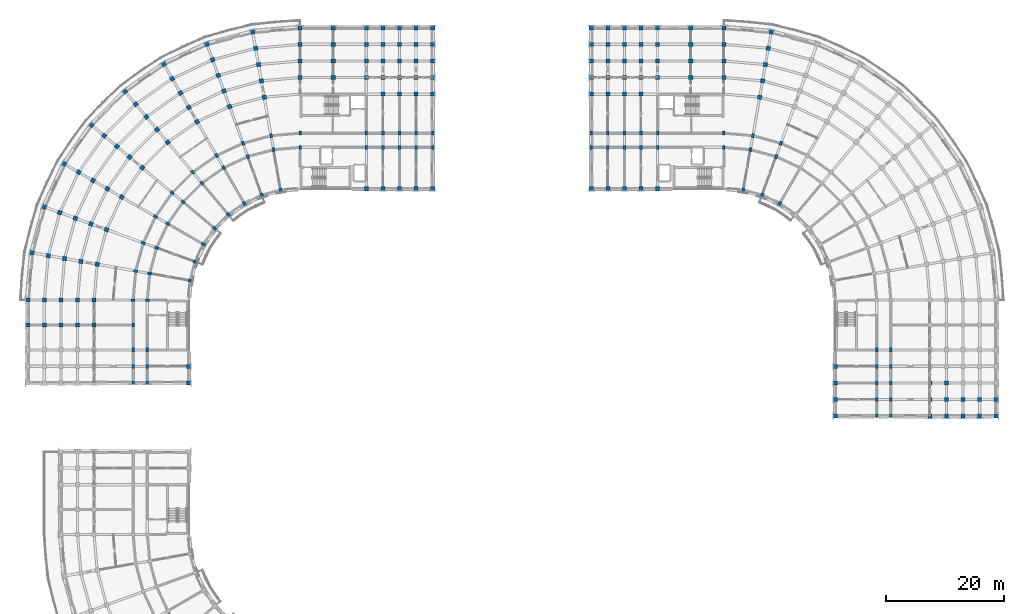
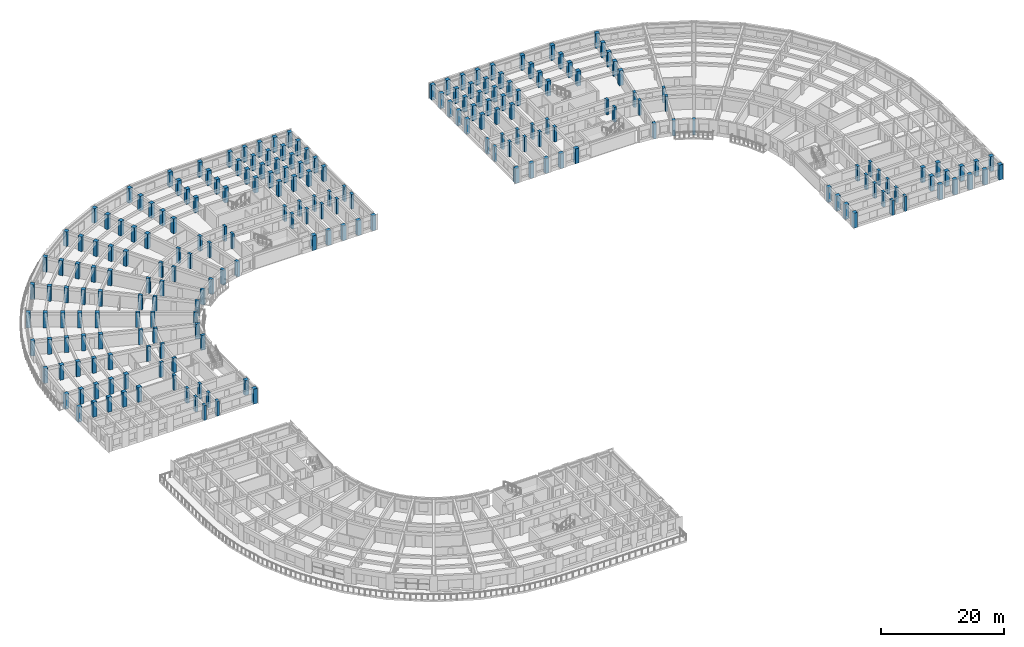
# One storey, part 2 of 57: 221 columns.
"""IFC4 building model written with IfcOpenShell, lengths in metres."""

from ifc_helpers import new_model, si_unit, direction, frame, origin, origin_2d, place, context, subcontext, project, spatial, rectangle, extrude, material, material_profile, profile_set, type_object, element, save


model = new_model("IFC4")

# Units and contexts
model_context = context("Model", 3, precision=1e-05, world=origin(), true_north=direction((0.0, 1.0)))
body_context = subcontext(model_context, "Body", "Model", "MODEL_VIEW")
ifc_project = project(units=[si_unit("LENGTHUNIT", "METRE"), si_unit("AREAUNIT", "SQUARE_METRE"), si_unit("VOLUMEUNIT", "CUBIC_METRE"), si_unit("PLANEANGLEUNIT", "RADIAN"), si_unit("MASSUNIT", "GRAM", prefix="KILO")], contexts=[model_context])

# Site, building, storey
site_placement = place(None, origin())
site = spatial("IfcSite", under=ifc_project, at=site_placement, CompositionType="ELEMENT")
building_placement = place(site_placement, origin())
building = spatial("IfcBuilding", under=site, at=building_placement, Name="Kiranvali Square Residences", CompositionType="ELEMENT")
storey_placement = place(building_placement, frame((0.0, 0.0, 24.449951171875)))
storey = spatial("IfcBuildingStorey", under=building, at=storey_placement, Name="L07", CompositionType="ELEMENT", Elevation=24.449951171875)

# Columns
ifc_material_1 = material(Name="Concrete M45 (45 MPa)", Category="concrete")
ifc_material_profile_1 = material_profile(ifc_material_1, rectangle(XDim=0.699951171875, YDim=0.699951171875, at=origin_2d()), Name="RC 700x700")
ifc_profile_set_1 = profile_set([ifc_material_profile_1], Name="Concrete M45 (45 MPa)")
column_type_1 = type_object("IfcColumnType", Name="COL-M45-700", PredefinedType="COLUMN", material=ifc_profile_set_1)
for number, where, z_axis, x_axis, name in (
    (1, (48.199951171875, 125.39990234375, 0.0), (0.0, 0.0, 1.0), (1.0, 0.0, 0.0), "Block A L07 radial column A00-R4"),
    (2, (48.199951171875, 128.199951171875, 0.0), (0.0, 0.0, 1.0), (1.0, 0.0, 0.0), "Block A L07 radial column A00-R5"),
    (3, (48.199951171875, 131.0, 0.0), (0.0, 0.0, 1.0), (1.0, 0.0, 0.0), "Block A L07 radial column A00-R6"),
    (4, (48.199951171875, 133.800048828125, 0.0), (0.0, 0.0, 1.0), (1.0, 0.0, 0.0), "Block A L07 radial column A00-R7"),
    (5, (42.156982421875, 122.0712890625, 0.0), (0.0, 0.0, 1.0), (0.984807753012, 0.173648177667, 0.0), "Block A L07 radial column A01-R3"),
    (6, (41.6708984375, 124.828857421875, 0.0), (0.0, 0.0, 1.0), (0.984807753012, 0.173648177667, 0.0), "Block A L07 radial column A01-R4"),
    (7, (41.1845703125, 127.586181640625, 0.0), (0.0, 0.0, 1.0), (0.984807753012, 0.173648177667, 0.0), "Block A L07 radial column A01-R5"),
    (8, (40.698486328125, 130.34375, 0.0), (0.0, 0.0, 1.0), (0.984807753012, 0.173648177667, 0.0), "Block A L07 radial column A01-R6"),
    (9, (40.212158203125, 133.10107421875, 0.0), (0.0, 0.0, 1.0), (0.984807753012, 0.173648177667, 0.0), "Block A L07 radial column A01-R7"),
    (10, (36.297607421875, 120.501220703125, 0.0), (0.0, 0.0, 1.0), (0.939692620786, 0.342020143326, 0.0), "Block A L07 radial column A02-R3"),
    (11, (35.340087890625, 123.13232421875, 0.0), (0.0, 0.0, 1.0), (0.939692620786, 0.342020143326, 0.0), "Block A L07 radial column A02-R4"),
    (12, (34.38232421875, 125.763671875, 0.0), (0.0, 0.0, 1.0), (0.939692620786, 0.342020143326, 0.0), "Block A L07 radial column A02-R5"),
    (13, (33.4248046875, 128.394775390625, 0.0), (0.0, 0.0, 1.0), (0.939692620786, 0.342020143326, 0.0), "Block A L07 radial column A02-R6"),
    (14, (32.467041015625, 131.02587890625, 0.0), (0.0, 0.0, 1.0), (0.939692620786, 0.342020143326, 0.0), "Block A L07 radial column A02-R7"),
    (15, (30.800048828125, 117.937744140625, 0.0), (0.0, 0.0, 1.0), (0.866025403784, 0.5, 0.0), "Block A L07 radial column A03-R3"),
    (16, (29.39990234375, 120.362548828125, 0.0), (0.0, 0.0, 1.0), (0.866025403784, 0.5, 0.0), "Block A L07 radial column A03-R4"),
    (17, (28.0, 122.787353515625, 0.0), (0.0, 0.0, 1.0), (0.866025403784, 0.5, 0.0), "Block A L07 radial column A03-R5"),
    (18, (26.60009765625, 125.21240234375, 0.0), (0.0, 0.0, 1.0), (0.866025403784, 0.5, 0.0), "Block A L07 radial column A03-R6"),
    (19, (25.199951171875, 127.63720703125, 0.0), (0.0, 0.0, 1.0), (0.866025403784, 0.5, 0.0), "Block A L07 radial column A03-R7"),
    (20, (25.8310546875, 114.458251953125, 0.0), (0.0, 0.0, 1.0), (0.766044443119, 0.642787609687, 0.0), "Block A L07 radial column A04-R3"),
    (21, (24.03125, 116.603271484375, 0.0), (0.0, 0.0, 1.0), (0.766044443119, 0.642787609687, 0.0), "Block A L07 radial column A04-R4"),
    (22, (22.2314453125, 118.748291015625, 0.0), (0.0, 0.0, 1.0), (0.766044443119, 0.642787609687, 0.0), "Block A L07 radial column A04-R5"),
    (23, (20.431640625, 120.89306640625, 0.0), (0.0, 0.0, 1.0), (0.766044443119, 0.642787609687, 0.0), "Block A L07 radial column A04-R6"),
    (24, (18.6318359375, 123.0380859375, 0.0), (0.0, 0.0, 1.0), (0.766044443119, 0.642787609687, 0.0), "Block A L07 radial column A04-R7"),
    (25, (21.541748046875, 110.1689453125, 0.0), (0.0, 0.0, 1.0), (0.642787609687, 0.766044443119, 0.0), "Block A L07 radial column A05-R3"),
    (26, (19.396728515625, 111.96875, 0.0), (0.0, 0.0, 1.0), (0.642787609687, 0.766044443119, 0.0), "Block A L07 radial column A05-R4"),
    (27, (17.251708984375, 113.7685546875, 0.0), (0.0, 0.0, 1.0), (0.642787609687, 0.766044443119, 0.0), "Block A L07 radial column A05-R5"),
    (28, (15.10693359375, 115.568359375, 0.0), (0.0, 0.0, 1.0), (0.642787609687, 0.766044443119, 0.0), "Block A L07 radial column A05-R6"),
    (29, (12.9619140625, 117.3681640625, 0.0), (0.0, 0.0, 1.0), (0.642787609687, 0.766044443119, 0.0), "Block A L07 radial column A05-R7"),
    (30, (18.062255859375, 105.199951171875, 0.0), (0.0, 0.0, 1.0), (0.5, 0.866025403784, 0.0), "Block A L07 radial column A06-R3"),
    (31, (15.637451171875, 106.60009765625, 0.0), (0.0, 0.0, 1.0), (0.5, 0.866025403784, 0.0), "Block A L07 radial column A06-R4"),
    (32, (13.212646484375, 108.0, 0.0), (0.0, 0.0, 1.0), (0.5, 0.866025403784, 0.0), "Block A L07 radial column A06-R5"),
    (33, (10.78759765625, 109.39990234375, 0.0), (0.0, 0.0, 1.0), (0.5, 0.866025403784, 0.0), "Block A L07 radial column A06-R6"),
    (34, (8.36279296875, 110.800048828125, 0.0), (0.0, 0.0, 1.0), (0.5, 0.866025403784, 0.0), "Block A L07 radial column A06-R7"),
    (35, (15.498779296875, 99.702392578125, 0.0), (0.0, 0.0, 1.0), (0.342020143326, 0.939692620786, 0.0), "Block A L07 radial column A07-R3"),
    (36, (12.86767578125, 100.659912109375, 0.0), (0.0, 0.0, 1.0), (0.342020143326, 0.939692620786, 0.0), "Block A L07 radial column A07-R4"),
    (37, (10.236328125, 101.61767578125, 0.0), (0.0, 0.0, 1.0), (0.342020143326, 0.939692620786, 0.0), "Block A L07 radial column A07-R5"),
    (38, (7.605224609375, 102.5751953125, 0.0), (0.0, 0.0, 1.0), (0.342020143326, 0.939692620786, 0.0), "Block A L07 radial column A07-R6"),
    (39, (4.97412109375, 103.532958984375, 0.0), (0.0, 0.0, 1.0), (0.342020143326, 0.939692620786, 0.0), "Block A L07 radial column A07-R7"),
    (40, (13.9287109375, 93.843017578125, 0.0), (0.0, 0.0, 1.0), (0.173648177667, 0.984807753012, 0.0), "Block A L07 radial column A08-R3"),
    (41, (11.171142578125, 94.3291015625, 0.0), (0.0, 0.0, 1.0), (0.173648177667, 0.984807753012, 0.0), "Block A L07 radial column A08-R4"),
    (42, (8.413818359375, 94.8154296875, 0.0), (0.0, 0.0, 1.0), (0.173648177667, 0.984807753012, 0.0), "Block A L07 radial column A08-R5"),
    (43, (5.65625, 95.301513671875, 0.0), (0.0, 0.0, 1.0), (0.173648177667, 0.984807753012, 0.0), "Block A L07 radial column A08-R6"),
    (44, (2.89892578125, 95.787841796875, 0.0), (0.0, 0.0, 1.0), (0.173648177667, 0.984807753012, 0.0), "Block A L07 radial column A08-R7"),
    (45, (13.39990234375, 87.800048828125, 0.0), (0.0, 0.0, 1.0), (0.0, 1.0, 0.0), "Block A L07 radial column A09-R3"),
    (46, (10.60009765625, 87.800048828125, 0.0), (0.0, 0.0, 1.0), (0.0, 1.0, 0.0), "Block A L07 radial column A09-R4"),
    (47, (7.800048828125, 87.800048828125, 0.0), (0.0, 0.0, 1.0), (0.0, 1.0, 0.0), "Block A L07 radial column A09-R5"),
    (48, (5.0, 87.800048828125, 0.0), (0.0, 0.0, 1.0), (0.0, 1.0, 0.0), "Block A L07 radial column A09-R6"),
    (49, (2.199951171875, 87.800048828125, 0.0), (0.0, 0.0, 1.0), (0.0, 1.0, 0.0), "Block A L07 radial column A09-R7"),
    (50, (53.800048828125, 125.39990234375, 0.0), (0.0, 0.0, 1.0), (1.0, 0.0, 0.0), "Block A L07 core-front column U0-R4"),
    (51, (53.800048828125, 128.199951171875, 0.0), (0.0, 0.0, 1.0), (1.0, 0.0, 0.0), "Block A L07 core-front column U0-R5"),
    (52, (53.800048828125, 131.0, 0.0), (0.0, 0.0, 1.0), (1.0, 0.0, 0.0), "Block A L07 core-front column U0-R6"),
    (53, (53.800048828125, 133.800048828125, 0.0), (0.0, 0.0, 1.0), (1.0, 0.0, 0.0), "Block A L07 core-front column U0-R7"),
    (54, (59.39990234375, 106.60009765625, 0.0), (0.0, 0.0, 1.0), (1.0, 0.0, 0.0), "Block A L07 Arm 1 column U1-R0"),
    (55, (59.39990234375, 125.39990234375, 0.0), (0.0, 0.0, 1.0), (1.0, 0.0, 0.0), "Block A L07 Arm 1 column U1-R4"),
    (56, (59.39990234375, 128.199951171875, 0.0), (0.0, 0.0, 1.0), (1.0, 0.0, 0.0), "Block A L07 Arm 1 column U1-R5"),
    (57, (59.39990234375, 131.0, 0.0), (0.0, 0.0, 1.0), (1.0, 0.0, 0.0), "Block A L07 Arm 1 column U1-R6"),
    (58, (59.39990234375, 133.800048828125, 0.0), (0.0, 0.0, 1.0), (1.0, 0.0, 0.0), "Block A L07 Arm 1 column U1-R7"),
    (59, (62.199951171875, 106.60009765625, 0.0), (0.0, 0.0, 1.0), (1.0, 0.0, 0.0), "Block A L07 Arm 1 column U2-R0"),
    (60, (62.199951171875, 122.60009765625, 0.0), (0.0, 0.0, 1.0), (1.0, 0.0, 0.0), "Block A L07 Arm 1 column U2-R3"),
    (61, (62.199951171875, 125.39990234375, 0.0), (0.0, 0.0, 1.0), (1.0, 0.0, 0.0), "Block A L07 Arm 1 column U2-R4"),
    (62, (62.199951171875, 128.199951171875, 0.0), (0.0, 0.0, 1.0), (1.0, 0.0, 0.0), "Block A L07 Arm 1 column U2-R5"),
    (63, (62.199951171875, 131.0, 0.0), (0.0, 0.0, 1.0), (1.0, 0.0, 0.0), "Block A L07 Arm 1 column U2-R6"),
    (64, (62.199951171875, 133.800048828125, 0.0), (0.0, 0.0, 1.0), (1.0, 0.0, 0.0), "Block A L07 Arm 1 column U2-R7"),
    (65, (65.0, 106.60009765625, 0.0), (0.0, 0.0, 1.0), (1.0, 0.0, 0.0), "Block A L07 Arm 1 column U3-R0"),
    (66, (65.0, 122.60009765625, 0.0), (0.0, 0.0, 1.0), (1.0, 0.0, 0.0), "Block A L07 Arm 1 column U3-R3"),
    (67, (65.0, 125.39990234375, 0.0), (0.0, 0.0, 1.0), (1.0, 0.0, 0.0), "Block A L07 Arm 1 column U3-R4"),
    (68, (65.0, 128.199951171875, 0.0), (0.0, 0.0, 1.0), (1.0, 0.0, 0.0), "Block A L07 Arm 1 column U3-R5"),
    (69, (65.0, 131.0, 0.0), (0.0, 0.0, 1.0), (1.0, 0.0, 0.0), "Block A L07 Arm 1 column U3-R6"),
    (70, (65.0, 133.800048828125, 0.0), (0.0, 0.0, 1.0), (1.0, 0.0, 0.0), "Block A L07 Arm 1 column U3-R7"),
    (71, (67.800048828125, 106.60009765625, 0.0), (0.0, 0.0, 1.0), (1.0, 0.0, 0.0), "Block A L07 Arm 1 column U4-R0"),
    (72, (67.800048828125, 122.60009765625, 0.0), (0.0, 0.0, 1.0), (1.0, 0.0, 0.0), "Block A L07 Arm 1 column U4-R3"),
    (73, (67.800048828125, 125.39990234375, 0.0), (0.0, 0.0, 1.0), (1.0, 0.0, 0.0), "Block A L07 Arm 1 column U4-R4"),
    (74, (67.800048828125, 128.199951171875, 0.0), (0.0, 0.0, 1.0), (1.0, 0.0, 0.0), "Block A L07 Arm 1 column U4-R5"),
    (75, (67.800048828125, 131.0, 0.0), (0.0, 0.0, 1.0), (1.0, 0.0, 0.0), "Block A L07 Arm 1 column U4-R6"),
    (76, (67.800048828125, 133.800048828125, 0.0), (0.0, 0.0, 1.0), (1.0, 0.0, 0.0), "Block A L07 Arm 1 column U4-R7"),
    (77, (70.60009765625, 106.60009765625, 0.0), (0.0, 0.0, 1.0), (1.0, 0.0, 0.0), "Block A L07 Arm 1 column U5-R0"),
    (78, (70.60009765625, 122.60009765625, 0.0), (0.0, 0.0, 1.0), (1.0, 0.0, 0.0), "Block A L07 Arm 1 column U5-R3"),
    (79, (70.60009765625, 125.39990234375, 0.0), (0.0, 0.0, 1.0), (1.0, 0.0, 0.0), "Block A L07 Arm 1 column U5-R4"),
    (80, (70.60009765625, 128.199951171875, 0.0), (0.0, 0.0, 1.0), (1.0, 0.0, 0.0), "Block A L07 Arm 1 column U5-R5"),
    (81, (70.60009765625, 131.0, 0.0), (0.0, 0.0, 1.0), (1.0, 0.0, 0.0), "Block A L07 Arm 1 column U5-R6"),
    (82, (70.60009765625, 133.800048828125, 0.0), (0.0, 0.0, 1.0), (1.0, 0.0, 0.0), "Block A L07 Arm 1 column U5-R7"),
    (83, (13.39990234375, 83.60009765625, 0.0), (0.0, 0.0, 1.0), (1.0, 0.0, 0.0), "Block A L07 Arm 2 mid-core column V0-R3"),
    (84, (10.60009765625, 83.60009765625, 0.0), (0.0, 0.0, 1.0), (1.0, 0.0, 0.0), "Block A L07 Arm 2 mid-core column V0-R4"),
    (85, (7.800048828125, 83.60009765625, 0.0), (0.0, 0.0, 1.0), (1.0, 0.0, 0.0), "Block A L07 Arm 2 mid-core column V0-R5"),
    (86, (5.0, 83.60009765625, 0.0), (0.0, 0.0, 1.0), (1.0, 0.0, 0.0), "Block A L07 Arm 2 mid-core column V0-R6"),
    (87, (2.199951171875, 83.60009765625, 0.0), (0.0, 0.0, 1.0), (1.0, 0.0, 0.0), "Block A L07 Arm 2 mid-core column V0-R7"),
    (88, (29.39990234375, 76.60009765625, 0.0), (0.0, 0.0, 1.0), (1.0, 0.0, 0.0), "Block A L07 Arm 2 column V2-R0"),
):
    element("IfcColumn", number, at=place(storey_placement, frame(where, z_axis=z_axis, x_axis=x_axis)), inside=storey, type_object=column_type_1, Name=name, PredefinedType="COLUMN", context=body_context, shape_type="SweptSolid", body=[
        extrude(rectangle(XDim=0.699951171875, YDim=0.699951171875, at=origin_2d()), origin(), (0.0, 0.0, 1.0), 2.929931640625),
    ])
column_placement = place(storey_placement, frame((29.39990234375, 73.800048828125, 0.0), z_axis=(0.0, 0.0, 1.0), x_axis=(1.0, 0.0, 0.0)))
element("IfcColumn", 89, at=column_placement, inside=storey, type_object=column_type_1, Name="Block A L07 Arm 2 column V3-R0", PredefinedType="COLUMN", context=body_context, shape_type="SweptSolid", body=[
    extrude(rectangle(XDim=0.699951171875, YDim=0.699951171875, at=origin_2d()), origin(), (0.0, 0.0, 1.0), 2.969970703125),
])
for number, where, z_axis, x_axis, name in (
    (90, (119.800048828125, 125.39990234375, 0.0), (0.0, 0.0, 1.0), (1.0, 0.0, 0.0), "Block B L07 radial column A00-R4"),
    (91, (119.800048828125, 128.199951171875, 0.0), (0.0, 0.0, 1.0), (1.0, 0.0, 0.0), "Block B L07 radial column A00-R5"),
    (92, (119.800048828125, 131.0, 0.0), (0.0, 0.0, 1.0), (1.0, 0.0, 0.0), "Block B L07 radial column A00-R6"),
    (93, (119.800048828125, 133.800048828125, 0.0), (0.0, 0.0, 1.0), (1.0, 0.0, 0.0), "Block B L07 radial column A00-R7"),
    (94, (125.843017578125, 122.0712890625, 0.0), (0.0, 0.0, 1.0), (-0.984807753012, 0.173648177667, 0.0), "Block B L07 radial column A01-R3"),
    (95, (126.3291015625, 124.828857421875, 0.0), (0.0, 0.0, 1.0), (-0.984807753012, 0.173648177667, 0.0), "Block B L07 radial column A01-R4"),
    (96, (126.8154296875, 127.586181640625, 0.0), (0.0, 0.0, 1.0), (-0.984807753012, 0.173648177667, 0.0), "Block B L07 radial column A01-R5"),
    (97, (127.301513671875, 130.34375, 0.0), (0.0, 0.0, 1.0), (-0.984807753012, 0.173648177667, 0.0), "Block B L07 radial column A01-R6"),
    (98, (127.787841796875, 133.10107421875, 0.0), (0.0, 0.0, 1.0), (-0.984807753012, 0.173648177667, 0.0), "Block B L07 radial column A01-R7"),
    (99, (114.199951171875, 125.39990234375, 0.0), (0.0, 0.0, 1.0), (1.0, 0.0, 0.0), "Block B L07 core-front column U0-R4"),
    (100, (114.199951171875, 128.199951171875, 0.0), (0.0, 0.0, 1.0), (1.0, 0.0, 0.0), "Block B L07 core-front column U0-R5"),
    (101, (114.199951171875, 131.0, 0.0), (0.0, 0.0, 1.0), (1.0, 0.0, 0.0), "Block B L07 core-front column U0-R6"),
    (102, (114.199951171875, 133.800048828125, 0.0), (0.0, 0.0, 1.0), (1.0, 0.0, 0.0), "Block B L07 core-front column U0-R7"),
    (103, (108.60009765625, 106.60009765625, 0.0), (0.0, 0.0, 1.0), (1.0, 0.0, 0.0), "Block B L07 Arm 1 column U1-R0"),
    (104, (108.60009765625, 125.39990234375, 0.0), (0.0, 0.0, 1.0), (1.0, 0.0, 0.0), "Block B L07 Arm 1 column U1-R4"),
    (105, (108.60009765625, 128.199951171875, 0.0), (0.0, 0.0, 1.0), (1.0, 0.0, 0.0), "Block B L07 Arm 1 column U1-R5"),
    (106, (108.60009765625, 131.0, 0.0), (0.0, 0.0, 1.0), (1.0, 0.0, 0.0), "Block B L07 Arm 1 column U1-R6"),
    (107, (108.60009765625, 133.800048828125, 0.0), (0.0, 0.0, 1.0), (1.0, 0.0, 0.0), "Block B L07 Arm 1 column U1-R7"),
    (108, (105.800048828125, 106.60009765625, 0.0), (0.0, 0.0, 1.0), (1.0, 0.0, 0.0), "Block B L07 Arm 1 column U2-R0"),
    (109, (105.800048828125, 122.60009765625, 0.0), (0.0, 0.0, 1.0), (1.0, 0.0, 0.0), "Block B L07 Arm 1 column U2-R3"),
    (110, (105.800048828125, 125.39990234375, 0.0), (0.0, 0.0, 1.0), (1.0, 0.0, 0.0), "Block B L07 Arm 1 column U2-R4"),
    (111, (105.800048828125, 128.199951171875, 0.0), (0.0, 0.0, 1.0), (1.0, 0.0, 0.0), "Block B L07 Arm 1 column U2-R5"),
    (112, (105.800048828125, 131.0, 0.0), (0.0, 0.0, 1.0), (1.0, 0.0, 0.0), "Block B L07 Arm 1 column U2-R6"),
    (113, (105.800048828125, 133.800048828125, 0.0), (0.0, 0.0, 1.0), (1.0, 0.0, 0.0), "Block B L07 Arm 1 column U2-R7"),
    (114, (103.0, 106.60009765625, 0.0), (0.0, 0.0, 1.0), (1.0, 0.0, 0.0), "Block B L07 Arm 1 column U3-R0"),
    (115, (103.0, 122.60009765625, 0.0), (0.0, 0.0, 1.0), (1.0, 0.0, 0.0), "Block B L07 Arm 1 column U3-R3"),
    (116, (103.0, 125.39990234375, 0.0), (0.0, 0.0, 1.0), (1.0, 0.0, 0.0), "Block B L07 Arm 1 column U3-R4"),
    (117, (103.0, 128.199951171875, 0.0), (0.0, 0.0, 1.0), (1.0, 0.0, 0.0), "Block B L07 Arm 1 column U3-R5"),
    (118, (103.0, 131.0, 0.0), (0.0, 0.0, 1.0), (1.0, 0.0, 0.0), "Block B L07 Arm 1 column U3-R6"),
    (119, (103.0, 133.800048828125, 0.0), (0.0, 0.0, 1.0), (1.0, 0.0, 0.0), "Block B L07 Arm 1 column U3-R7"),
    (120, (100.199951171875, 106.60009765625, 0.0), (0.0, 0.0, 1.0), (1.0, 0.0, 0.0), "Block B L07 Arm 1 column U4-R0"),
    (121, (100.199951171875, 122.60009765625, 0.0), (0.0, 0.0, 1.0), (1.0, 0.0, 0.0), "Block B L07 Arm 1 column U4-R3"),
    (122, (100.199951171875, 125.39990234375, 0.0), (0.0, 0.0, 1.0), (1.0, 0.0, 0.0), "Block B L07 Arm 1 column U4-R4"),
    (123, (100.199951171875, 128.199951171875, 0.0), (0.0, 0.0, 1.0), (1.0, 0.0, 0.0), "Block B L07 Arm 1 column U4-R5"),
    (124, (100.199951171875, 131.0, 0.0), (0.0, 0.0, 1.0), (1.0, 0.0, 0.0), "Block B L07 Arm 1 column U4-R6"),
    (125, (100.199951171875, 133.800048828125, 0.0), (0.0, 0.0, 1.0), (1.0, 0.0, 0.0), "Block B L07 Arm 1 column U4-R7"),
    (126, (97.39990234375, 106.60009765625, 0.0), (0.0, 0.0, 1.0), (1.0, 0.0, 0.0), "Block B L07 Arm 1 column U5-R0"),
    (127, (97.39990234375, 122.60009765625, 0.0), (0.0, 0.0, 1.0), (1.0, 0.0, 0.0), "Block B L07 Arm 1 column U5-R3"),
    (128, (97.39990234375, 125.39990234375, 0.0), (0.0, 0.0, 1.0), (1.0, 0.0, 0.0), "Block B L07 Arm 1 column U5-R4"),
    (129, (97.39990234375, 128.199951171875, 0.0), (0.0, 0.0, 1.0), (1.0, 0.0, 0.0), "Block B L07 Arm 1 column U5-R5"),
    (130, (97.39990234375, 131.0, 0.0), (0.0, 0.0, 1.0), (1.0, 0.0, 0.0), "Block B L07 Arm 1 column U5-R6"),
    (131, (97.39990234375, 133.800048828125, 0.0), (0.0, 0.0, 1.0), (1.0, 0.0, 0.0), "Block B L07 Arm 1 column U5-R7"),
    (132, (138.60009765625, 76.60009765625, 0.0), (0.0, 0.0, 1.0), (1.0, 0.0, 0.0), "Block B L07 Arm 2 column V2-R0"),
    (133, (138.60009765625, 73.800048828125, 0.0), (0.0, 0.0, 1.0), (1.0, 0.0, 0.0), "Block B L07 Arm 2 column V3-R0"),
    (134, (154.60009765625, 73.800048828125, 0.0), (0.0, 0.0, 1.0), (1.0, 0.0, 0.0), "Block B L07 Arm 2 column V3-R3"),
    (135, (157.39990234375, 73.800048828125, 0.0), (0.0, 0.0, 1.0), (1.0, 0.0, 0.0), "Block B L07 Arm 2 column V3-R4"),
    (136, (138.60009765625, 71.0, 0.0), (0.0, 0.0, 1.0), (1.0, 0.0, 0.0), "Block B L07 Arm 2 column V4-R0"),
    (137, (154.60009765625, 71.0, 0.0), (0.0, 0.0, 1.0), (1.0, 0.0, 0.0), "Block B L07 Arm 2 column V4-R3"),
    (138, (157.39990234375, 71.0, 0.0), (0.0, 0.0, 1.0), (1.0, 0.0, 0.0), "Block B L07 Arm 2 column V4-R4"),
    (139, (160.199951171875, 71.0, 0.0), (0.0, 0.0, 1.0), (1.0, 0.0, 0.0), "Block B L07 Arm 2 column V4-R5"),
    (140, (163.0, 71.0, 0.0), (0.0, 0.0, 1.0), (1.0, 0.0, 0.0), "Block B L07 Arm 2 column V4-R6"),
    (141, (165.800048828125, 71.0, 0.0), (0.0, 0.0, 1.0), (1.0, 0.0, 0.0), "Block B L07 Arm 2 column V4-R7"),
):
    element("IfcColumn", number, at=place(storey_placement, frame(where, z_axis=z_axis, x_axis=x_axis)), inside=storey, type_object=column_type_1, Name=name, PredefinedType="COLUMN", context=body_context, shape_type="SweptSolid", body=[
        extrude(rectangle(XDim=0.699951171875, YDim=0.699951171875, at=origin_2d()), origin(), (0.0, 0.0, 1.0), 2.929931640625),
    ])
for number, where, z_axis, x_axis, name in (
    (142, (138.60009765625, 68.199951171875, 0.0), (0.0, 0.0, 1.0), (1.0, 0.0, 0.0), "Block B L07 Arm 2 column V5-R0"),
    (143, (154.60009765625, 68.199951171875, 0.0), (0.0, 0.0, 1.0), (1.0, 0.0, 0.0), "Block B L07 Arm 2 column V5-R3"),
    (144, (157.39990234375, 68.199951171875, 0.0), (0.0, 0.0, 1.0), (1.0, 0.0, 0.0), "Block B L07 Arm 2 column V5-R4"),
    (145, (160.199951171875, 68.199951171875, 0.0), (0.0, 0.0, 1.0), (1.0, 0.0, 0.0), "Block B L07 Arm 2 column V5-R5"),
    (146, (163.0, 68.199951171875, 0.0), (0.0, 0.0, 1.0), (1.0, 0.0, 0.0), "Block B L07 Arm 2 column V5-R6"),
    (147, (165.800048828125, 68.199951171875, 0.0), (0.0, 0.0, 1.0), (1.0, 0.0, 0.0), "Block B L07 Arm 2 column V5-R7"),
):
    element("IfcColumn", number, at=place(storey_placement, frame(where, z_axis=z_axis, x_axis=x_axis)), inside=storey, type_object=column_type_1, Name=name, PredefinedType="COLUMN", context=body_context, shape_type="SweptSolid", body=[
        extrude(rectangle(XDim=0.699951171875, YDim=0.699951171875, at=origin_2d()), origin(), (0.0, 0.0, 1.0), 2.969970703125),
    ])
ifc_material_profile_2 = material_profile(ifc_material_1, rectangle(XDim=0.449951171875, YDim=0.699951171875, at=origin_2d()), Name="RC 700x450")
ifc_profile_set_2 = profile_set([ifc_material_profile_2], Name="Concrete M45 (45 MPa)")
column_type_2 = type_object("IfcColumnType", Name="COL-M45-700x450", PredefinedType="COLUMN", material=ifc_profile_set_2)
for number, where, z_axis, x_axis, name in (
    (148, (48.199951171875, 113.60009765625, 0.0), (0.0, 0.0, 1.0), (1.0, 0.0, 0.0), "Block A L07 radial column A00-R1"),
    (149, (48.199951171875, 116.0, 0.0), (0.0, 0.0, 1.0), (1.0, 0.0, 0.0), "Block A L07 radial column A00-R2"),
    (150, (43.719970703125, 113.2080078125, 0.0), (0.0, 0.0, 1.0), (0.984807753012, 0.173648177667, 0.0), "Block A L07 radial column A01-R1"),
    (151, (43.30322265625, 115.571533203125, 0.0), (0.0, 0.0, 1.0), (0.984807753012, 0.173648177667, 0.0), "Block A L07 radial column A01-R2"),
    (152, (39.3759765625, 112.044189453125, 0.0), (0.0, 0.0, 1.0), (0.939692620786, 0.342020143326, 0.0), "Block A L07 radial column A02-R1"),
    (153, (38.554931640625, 114.29931640625, 0.0), (0.0, 0.0, 1.0), (0.939692620786, 0.342020143326, 0.0), "Block A L07 radial column A02-R2"),
    (154, (35.300048828125, 110.1435546875, 0.0), (0.0, 0.0, 1.0), (0.866025403784, 0.5, 0.0), "Block A L07 radial column A03-R1"),
    (155, (34.10009765625, 112.221923828125, 0.0), (0.0, 0.0, 1.0), (0.866025403784, 0.5, 0.0), "Block A L07 radial column A03-R2"),
    (156, (31.615966796875, 107.56396484375, 0.0), (0.0, 0.0, 1.0), (0.766044443119, 0.642787609687, 0.0), "Block A L07 radial column A04-R1"),
    (157, (30.073486328125, 109.40234375, 0.0), (0.0, 0.0, 1.0), (0.766044443119, 0.642787609687, 0.0), "Block A L07 radial column A04-R2"),
    (158, (28.43603515625, 104.384033203125, 0.0), (0.0, 0.0, 1.0), (0.642787609687, 0.766044443119, 0.0), "Block A L07 radial column A05-R1"),
    (159, (26.59765625, 105.926513671875, 0.0), (0.0, 0.0, 1.0), (0.642787609687, 0.766044443119, 0.0), "Block A L07 radial column A05-R2"),
    (160, (25.8564453125, 100.699951171875, 0.0), (0.0, 0.0, 1.0), (0.5, 0.866025403784, 0.0), "Block A L07 radial column A06-R1"),
    (161, (23.778076171875, 101.89990234375, 0.0), (0.0, 0.0, 1.0), (0.5, 0.866025403784, 0.0), "Block A L07 radial column A06-R2"),
    (162, (23.955810546875, 96.6240234375, 0.0), (0.0, 0.0, 1.0), (0.342020143326, 0.939692620786, 0.0), "Block A L07 radial column A07-R1"),
    (163, (21.70068359375, 97.445068359375, 0.0), (0.0, 0.0, 1.0), (0.342020143326, 0.939692620786, 0.0), "Block A L07 radial column A07-R2"),
    (164, (22.7919921875, 92.280029296875, 0.0), (0.0, 0.0, 1.0), (0.173648177667, 0.984807753012, 0.0), "Block A L07 radial column A08-R1"),
    (165, (20.428466796875, 92.69677734375, 0.0), (0.0, 0.0, 1.0), (0.173648177667, 0.984807753012, 0.0), "Block A L07 radial column A08-R2"),
    (166, (22.39990234375, 87.800048828125, 0.0), (0.0, 0.0, 1.0), (0.0, 1.0, 0.0), "Block A L07 radial column A09-R1"),
    (167, (20.0, 87.800048828125, 0.0), (0.0, 0.0, 1.0), (0.0, 1.0, 0.0), "Block A L07 radial column A09-R2"),
    (168, (59.39990234375, 113.60009765625, 0.0), (0.0, 0.0, 1.0), (1.0, 0.0, 0.0), "Block A L07 Arm 1 column U1-R1"),
    (169, (59.39990234375, 116.0, 0.0), (0.0, 0.0, 1.0), (1.0, 0.0, 0.0), "Block A L07 Arm 1 column U1-R2"),
    (170, (62.199951171875, 113.60009765625, 0.0), (0.0, 0.0, 1.0), (1.0, 0.0, 0.0), "Block A L07 Arm 1 column U2-R1"),
    (171, (62.199951171875, 116.0, 0.0), (0.0, 0.0, 1.0), (1.0, 0.0, 0.0), "Block A L07 Arm 1 column U2-R2"),
    (172, (65.0, 113.60009765625, 0.0), (0.0, 0.0, 1.0), (1.0, 0.0, 0.0), "Block A L07 Arm 1 column U3-R1"),
    (173, (65.0, 116.0, 0.0), (0.0, 0.0, 1.0), (1.0, 0.0, 0.0), "Block A L07 Arm 1 column U3-R2"),
    (174, (67.800048828125, 113.60009765625, 0.0), (0.0, 0.0, 1.0), (1.0, 0.0, 0.0), "Block A L07 Arm 1 column U4-R1"),
    (175, (67.800048828125, 116.0, 0.0), (0.0, 0.0, 1.0), (1.0, 0.0, 0.0), "Block A L07 Arm 1 column U4-R2"),
    (176, (70.60009765625, 113.60009765625, 0.0), (0.0, 0.0, 1.0), (1.0, 0.0, 0.0), "Block A L07 Arm 1 column U5-R1"),
    (177, (70.60009765625, 116.0, 0.0), (0.0, 0.0, 1.0), (1.0, 0.0, 0.0), "Block A L07 Arm 1 column U5-R2"),
    (178, (20.0, 83.60009765625, 0.0), (0.0, 0.0, 1.0), (1.0, 0.0, 0.0), "Block A L07 Arm 2 mid-core column V0-R2"),
    (179, (22.39990234375, 79.39990234375, 0.0), (0.0, 0.0, 1.0), (1.0, 0.0, 0.0), "Block A L07 Arm 2 column V1-R1"),
    (180, (20.0, 79.39990234375, 0.0), (0.0, 0.0, 1.0), (1.0, 0.0, 0.0), "Block A L07 Arm 2 column V1-R2"),
    (181, (22.39990234375, 76.60009765625, 0.0), (0.0, 0.0, 1.0), (1.0, 0.0, 0.0), "Block A L07 Arm 2 column V2-R1"),
    (182, (20.0, 76.60009765625, 0.0), (0.0, 0.0, 1.0), (1.0, 0.0, 0.0), "Block A L07 Arm 2 column V2-R2"),
):
    element("IfcColumn", number, at=place(storey_placement, frame(where, z_axis=z_axis, x_axis=x_axis)), inside=storey, type_object=column_type_2, Name=name, PredefinedType="COLUMN", context=body_context, shape_type="SweptSolid", body=[
        extrude(rectangle(XDim=0.449951171875, YDim=0.699951171875, at=origin_2d()), origin(), (0.0, 0.0, 1.0), 2.929931640625),
    ])
for number, where, z_axis, x_axis, name in (
    (183, (22.39990234375, 73.800048828125, 0.0), (0.0, 0.0, 1.0), (1.0, 0.0, 0.0), "Block A L07 Arm 2 column V3-R1"),
    (184, (20.0, 73.800048828125, 0.0), (0.0, 0.0, 1.0), (1.0, 0.0, 0.0), "Block A L07 Arm 2 column V3-R2"),
):
    element("IfcColumn", number, at=place(storey_placement, frame(where, z_axis=z_axis, x_axis=x_axis)), inside=storey, type_object=column_type_2, Name=name, PredefinedType="COLUMN", context=body_context, shape_type="SweptSolid", body=[
        extrude(rectangle(XDim=0.449951171875, YDim=0.699951171875, at=origin_2d()), origin(), (0.0, 0.0, 1.0), 2.969970703125),
    ])
for number, where, z_axis, x_axis, name in (
    (185, (119.800048828125, 113.60009765625, 0.0), (0.0, 0.0, 1.0), (1.0, 0.0, 0.0), "Block B L07 radial column A00-R1"),
    (186, (119.800048828125, 116.0, 0.0), (0.0, 0.0, 1.0), (1.0, 0.0, 0.0), "Block B L07 radial column A00-R2"),
    (187, (124.280029296875, 113.2080078125, 0.0), (0.0, 0.0, 1.0), (-0.984807753012, 0.173648177667, 0.0), "Block B L07 radial column A01-R1"),
    (188, (124.69677734375, 115.571533203125, 0.0), (0.0, 0.0, 1.0), (-0.984807753012, 0.173648177667, 0.0), "Block B L07 radial column A01-R2"),
    (189, (128.6240234375, 112.044189453125, 0.0), (0.0, 0.0, 1.0), (-0.939692620786, 0.342020143326, 0.0), "Block B L07 radial column A02-R1"),
    (190, (129.445068359375, 114.29931640625, 0.0), (0.0, 0.0, 1.0), (-0.939692620786, 0.342020143326, 0.0), "Block B L07 radial column A02-R2"),
    (191, (108.60009765625, 113.60009765625, 0.0), (0.0, 0.0, 1.0), (1.0, 0.0, 0.0), "Block B L07 Arm 1 column U1-R1"),
    (192, (108.60009765625, 116.0, 0.0), (0.0, 0.0, 1.0), (1.0, 0.0, 0.0), "Block B L07 Arm 1 column U1-R2"),
    (193, (105.800048828125, 113.60009765625, 0.0), (0.0, 0.0, 1.0), (1.0, 0.0, 0.0), "Block B L07 Arm 1 column U2-R1"),
    (194, (105.800048828125, 116.0, 0.0), (0.0, 0.0, 1.0), (1.0, 0.0, 0.0), "Block B L07 Arm 1 column U2-R2"),
    (195, (103.0, 113.60009765625, 0.0), (0.0, 0.0, 1.0), (1.0, 0.0, 0.0), "Block B L07 Arm 1 column U3-R1"),
    (196, (103.0, 116.0, 0.0), (0.0, 0.0, 1.0), (1.0, 0.0, 0.0), "Block B L07 Arm 1 column U3-R2"),
    (197, (100.199951171875, 113.60009765625, 0.0), (0.0, 0.0, 1.0), (1.0, 0.0, 0.0), "Block B L07 Arm 1 column U4-R1"),
    (198, (100.199951171875, 116.0, 0.0), (0.0, 0.0, 1.0), (1.0, 0.0, 0.0), "Block B L07 Arm 1 column U4-R2"),
    (199, (97.39990234375, 113.60009765625, 0.0), (0.0, 0.0, 1.0), (1.0, 0.0, 0.0), "Block B L07 Arm 1 column U5-R1"),
    (200, (97.39990234375, 116.0, 0.0), (0.0, 0.0, 1.0), (1.0, 0.0, 0.0), "Block B L07 Arm 1 column U5-R2"),
    (201, (145.60009765625, 79.39990234375, 0.0), (0.0, 0.0, 1.0), (1.0, 0.0, 0.0), "Block B L07 Arm 2 column V1-R1"),
    (202, (148.0, 79.39990234375, 0.0), (0.0, 0.0, 1.0), (1.0, 0.0, 0.0), "Block B L07 Arm 2 column V1-R2"),
    (203, (145.60009765625, 76.60009765625, 0.0), (0.0, 0.0, 1.0), (1.0, 0.0, 0.0), "Block B L07 Arm 2 column V2-R1"),
    (204, (148.0, 76.60009765625, 0.0), (0.0, 0.0, 1.0), (1.0, 0.0, 0.0), "Block B L07 Arm 2 column V2-R2"),
    (205, (145.60009765625, 73.800048828125, 0.0), (0.0, 0.0, 1.0), (1.0, 0.0, 0.0), "Block B L07 Arm 2 column V3-R1"),
    (206, (148.0, 73.800048828125, 0.0), (0.0, 0.0, 1.0), (1.0, 0.0, 0.0), "Block B L07 Arm 2 column V3-R2"),
    (207, (145.60009765625, 71.0, 0.0), (0.0, 0.0, 1.0), (1.0, 0.0, 0.0), "Block B L07 Arm 2 column V4-R1"),
    (208, (148.0, 71.0, 0.0), (0.0, 0.0, 1.0), (1.0, 0.0, 0.0), "Block B L07 Arm 2 column V4-R2"),
):
    element("IfcColumn", number, at=place(storey_placement, frame(where, z_axis=z_axis, x_axis=x_axis)), inside=storey, type_object=column_type_2, Name=name, PredefinedType="COLUMN", context=body_context, shape_type="SweptSolid", body=[
        extrude(rectangle(XDim=0.449951171875, YDim=0.699951171875, at=origin_2d()), origin(), (0.0, 0.0, 1.0), 2.929931640625),
    ])
for number, where, z_axis, x_axis, name in (
    (209, (145.60009765625, 68.199951171875, 0.0), (0.0, 0.0, 1.0), (1.0, 0.0, 0.0), "Block B L07 Arm 2 column V5-R1"),
    (210, (148.0, 68.199951171875, 0.0), (0.0, 0.0, 1.0), (1.0, 0.0, 0.0), "Block B L07 Arm 2 column V5-R2"),
):
    element("IfcColumn", number, at=place(storey_placement, frame(where, z_axis=z_axis, x_axis=x_axis)), inside=storey, type_object=column_type_2, Name=name, PredefinedType="COLUMN", context=body_context, shape_type="SweptSolid", body=[
        extrude(rectangle(XDim=0.449951171875, YDim=0.699951171875, at=origin_2d()), origin(), (0.0, 0.0, 1.0), 2.969970703125),
    ])
ifc_material_2 = material(Name="Concrete M50 (50 MPa)", Category="concrete")
ifc_material_profile_3 = material_profile(ifc_material_2, rectangle(XDim=0.5, YDim=0.800048828125, at=origin_2d()), Name="RC 800x500")
ifc_profile_set_3 = profile_set([ifc_material_profile_3], Name="Concrete M50 (50 MPa)")
column_type_3 = type_object("IfcColumnType", Name="COL-M50-800x500", PredefinedType="COLUMN", material=ifc_profile_set_3)
for number, where, z_axis, x_axis, name in (
    (211, (44.935302734375, 106.314453125, 0.0), (0.0, 0.0, 1.0), (0.984807753012, 0.173648177667, 0.0), "Block A L07 radial column A01-R0"),
    (212, (41.77001953125, 105.46630859375, 0.0), (0.0, 0.0, 1.0), (0.939692620786, 0.342020143326, 0.0), "Block A L07 radial column A02-R0"),
    (213, (38.800048828125, 104.081298828125, 0.0), (0.0, 0.0, 1.0), (0.866025403784, 0.5, 0.0), "Block A L07 radial column A03-R0"),
    (214, (36.115478515625, 102.20166015625, 0.0), (0.0, 0.0, 1.0), (0.766044443119, 0.642787609687, 0.0), "Block A L07 radial column A04-R0"),
    (215, (33.79833984375, 99.884521484375, 0.0), (0.0, 0.0, 1.0), (0.642787609687, 0.766044443119, 0.0), "Block A L07 radial column A05-R0"),
    (216, (31.918701171875, 97.199951171875, 0.0), (0.0, 0.0, 1.0), (0.5, 0.866025403784, 0.0), "Block A L07 radial column A06-R0"),
    (217, (30.53369140625, 94.22998046875, 0.0), (0.0, 0.0, 1.0), (0.342020143326, 0.939692620786, 0.0), "Block A L07 radial column A07-R0"),
    (218, (29.685546875, 91.064697265625, 0.0), (0.0, 0.0, 1.0), (0.173648177667, 0.984807753012, 0.0), "Block A L07 radial column A08-R0"),
    (219, (123.064697265625, 106.314453125, 0.0), (0.0, 0.0, 1.0), (-0.984807753012, 0.173648177667, 0.0), "Block B L07 radial column A01-R0"),
    (220, (126.22998046875, 105.46630859375, 0.0), (0.0, 0.0, 1.0), (-0.939692620786, 0.342020143326, 0.0), "Block B L07 radial column A02-R0"),
    (221, (129.199951171875, 104.081298828125, 0.0), (0.0, 0.0, 1.0), (-0.866025403784, 0.5, 0.0), "Block B L07 radial column A03-R0"),
):
    element("IfcColumn", number, at=place(storey_placement, frame(where, z_axis=z_axis, x_axis=x_axis)), inside=storey, type_object=column_type_3, Name=name, PredefinedType="COLUMN", context=body_context, shape_type="SweptSolid", body=[
        extrude(rectangle(XDim=0.5, YDim=0.800048828125, at=origin_2d()), origin(), (0.0, 0.0, 1.0), 2.929931640625),
    ])

save(model, "model.ifc")
